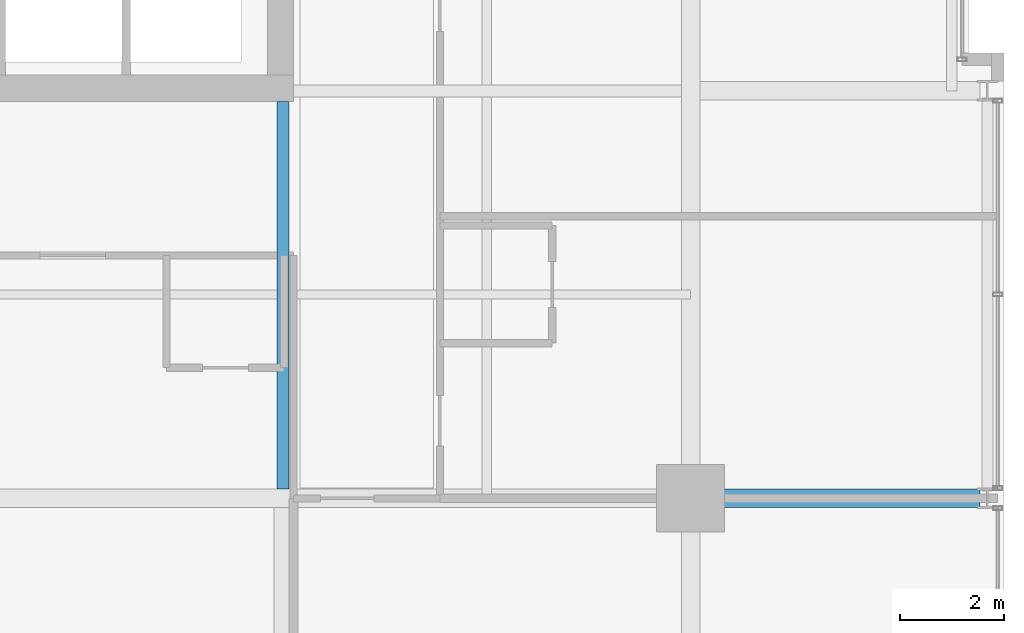
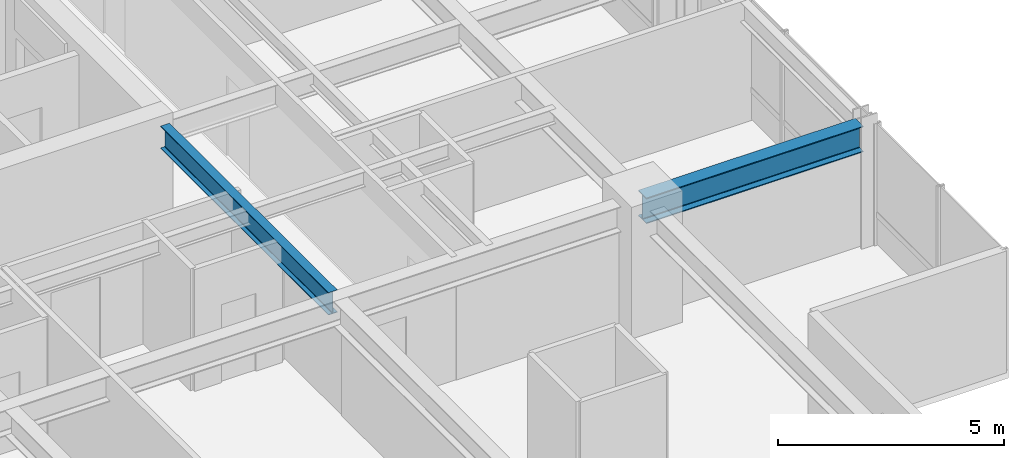
# One storey, part 12 of 33: 2 beams.
"""IFC4 building model written with IfcOpenShell, lengths in metres."""

from ifc_helpers import new_model, si_unit, direction, frame, origin, origin_2d, place, context, subcontext, project, spatial, i_section, extrude, material, material_profile, profile_set, type_object, element, save


model = new_model("IFC4")

# Units and contexts
model_context = context("Model", 3, precision=1e-05, world=origin(), true_north=direction((0.0, 1.0)))
body_context = subcontext(model_context, "Body", "Model", "MODEL_VIEW")
ifc_project = project(units=[si_unit("LENGTHUNIT", "METRE"), si_unit("AREAUNIT", "SQUARE_METRE"), si_unit("VOLUMEUNIT", "CUBIC_METRE"), si_unit("PLANEANGLEUNIT", "RADIAN"), si_unit("MASSUNIT", "GRAM", prefix="KILO")], contexts=[model_context])

# Site, building, storey
site_placement = place(None, origin())
site = spatial("IfcSite", under=ifc_project, at=site_placement, CompositionType="ELEMENT")
building_placement = place(site_placement, origin())
building = spatial("IfcBuilding", under=site, at=building_placement, Name="Drelvath Grand Hotel", CompositionType="ELEMENT")
storey_placement = place(building_placement, frame((0.0, 0.0, 178.800048828125)))
storey = spatial("IfcBuildingStorey", under=building, at=storey_placement, Name="L46", CompositionType="ELEMENT", Elevation=178.800048828125)

# Beams
ifc_material = material(Name="Steel ASTM A992 Gr 50", Category="steel")
ifc_material_profile_1 = material_profile(ifc_material, i_section(OverallWidth=0.228271484375, OverallDepth=0.607666015625, WebThickness=0.01123046875, FlangeThickness=0.017333984375, FilletRadius=0.02001953125, at=origin_2d()), Name="W24X76")
ifc_profile_set_1 = profile_set([ifc_material_profile_1], Name="Steel ASTM A992 Gr 50")
beam_type_1 = type_object("IfcBeamType", Name="Primary Floor Girder W24X76", PredefinedType="BEAM", material=ifc_profile_set_1)
beam_1_placement = place(storey_placement, frame((8.39990234375, 10.977294921875, 2.986083984375), z_axis=(0.0, 1.0, 0.0), x_axis=(-1.0, 0.0, 0.0)))
element("IfcBeam", 1, at=beam_1_placement, inside=storey, type_object=beam_type_1, Name="L46 South Core Tie 6", PredefinedType="BEAM", context=body_context, shape_type="SweptSolid", body=[
    extrude(i_section(OverallWidth=0.228271484375, OverallDepth=0.607666015625, WebThickness=0.01123046875, FlangeThickness=0.017333984375, FilletRadius=0.02001953125, at=origin_2d()), origin(), (0.0, 0.0, 1.0), 7.422607421875),
])
ifc_material_profile_2 = material_profile(ifc_material, i_section(OverallWidth=0.354736328125, OverallDepth=0.695556640625, WebThickness=0.015380859375, FlangeThickness=0.025146484375, FilletRadius=0.02392578125, at=origin_2d()), Name="W27X146")
ifc_profile_set_2 = profile_set([ifc_material_profile_2], Name="Steel ASTM A992 Gr 50")
beam_type_2 = type_object("IfcBeamType", Name="Primary Floor Girder W27X146", PredefinedType="BEAM", material=ifc_profile_set_2)
beam_2_placement = place(storey_placement, frame((16.199951171875, 10.800048828125, 2.942138671875), z_axis=(1.0, 0.0, 0.0), x_axis=(0.0, 1.0, 0.0)))
element("IfcBeam", 2, at=beam_2_placement, inside=storey, type_object=beam_type_2, Name="L46 East Grid Girder C", PredefinedType="BEAM", context=body_context, shape_type="SweptSolid", body=[
    extrude(i_section(OverallWidth=0.354736328125, OverallDepth=0.695556640625, WebThickness=0.015380859375, FlangeThickness=0.025146484375, FilletRadius=0.02392578125, at=origin_2d()), origin(), (0.0, 0.0, 1.0), 5.5400390625),
])

save(model, "model.ifc")
